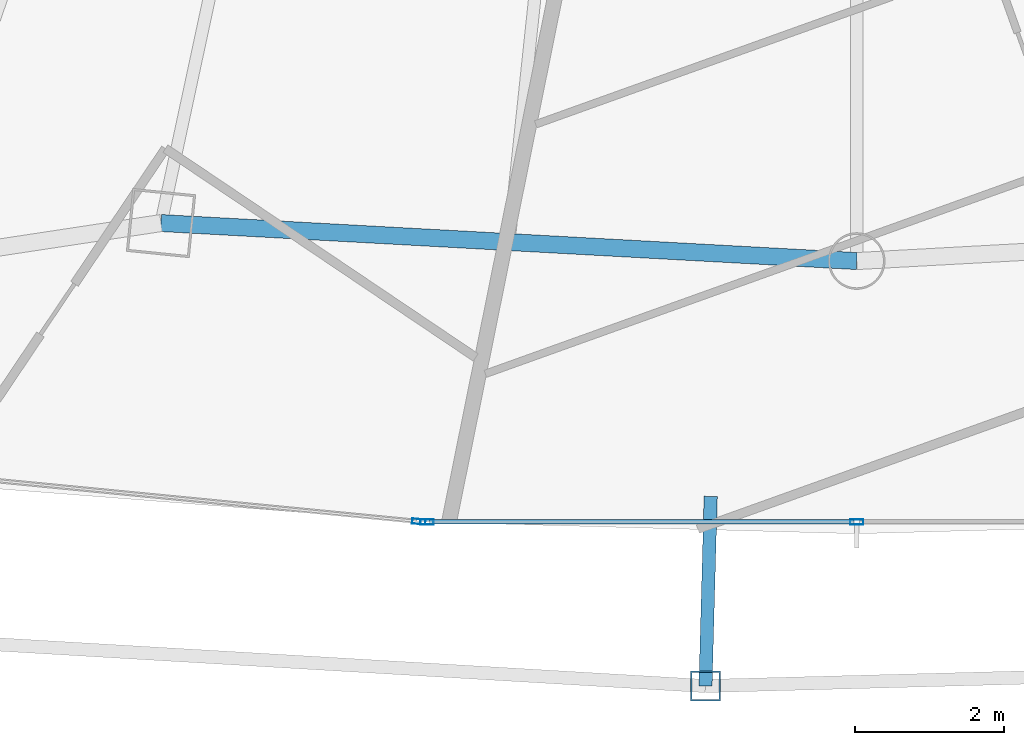
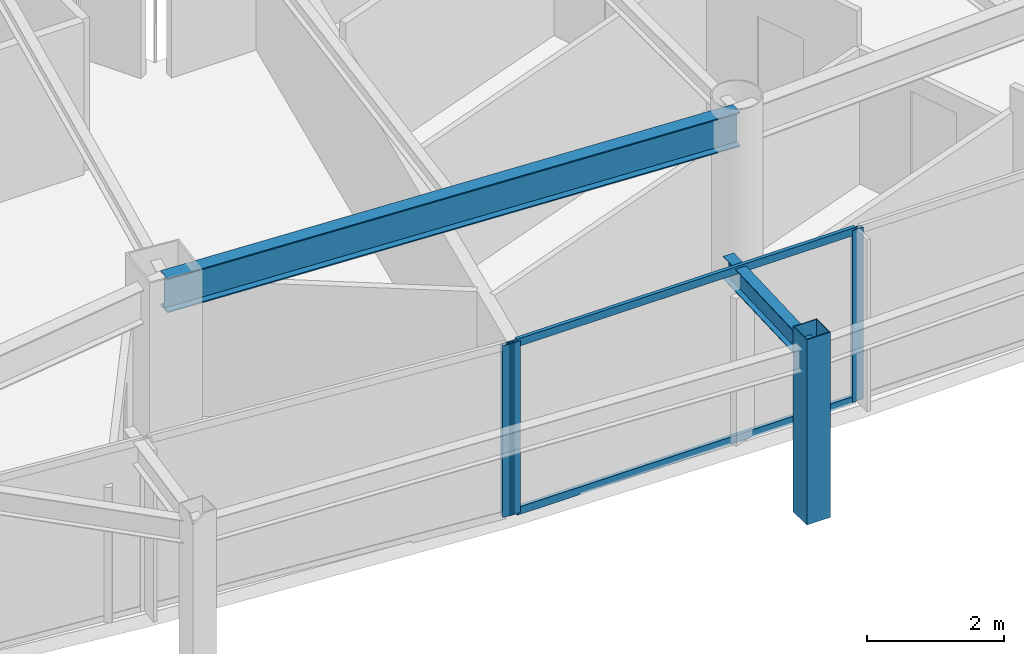
# One storey, part 7 of 30: 6 members, 2 beams, 2 elements without a shape of their own.
"""IFC4 building model written with IfcOpenShell, lengths in metres."""

import ifcopenshell
import ifcopenshell.guid

model = None  # the IFC model being written
_history = None  # IfcOwnerHistory: only IFC2X3 demands one
_inside = {}  # id of a spatial element -> (the spatial element, [elements in it])
_under = {}  # id of a project, library or spatial element -> (it, [spatial elements below it])
_declared = {}  # id of a project -> (the project, [libraries it declares])
_typed = {}  # id of a type object -> (the type object, [elements of that type])
_made_of = {}  # id of a material, layer set ... -> (it, [elements and type objects made of it])


def new_model(schema):
    """Start an empty IFC model of exactly this schema.

    Asked for "IFC4X3", IfcOpenShell would pick the latest addendum, in which some entities
    have other attributes; the version numbers below select the first issue.
    IFC2X3 requires an IfcOwnerHistory on every rooted entity: one is made here for all.
    """
    global model, _history
    if schema == "IFC4X3":
        model = ifcopenshell.file(schema_version=(4, 3, 0, 0))
    else:
        model = ifcopenshell.file(schema=schema)
    _inside.clear()
    _under.clear()
    _declared.clear()
    _typed.clear()
    _made_of.clear()
    _history = None
    if model.schema == "IFC2X3":
        org = make("IfcOrganization", Name="unknown")
        user = make(
            "IfcPersonAndOrganization",
            ThePerson=make("IfcPerson", FamilyName="unknown"),
            TheOrganization=org,
        )
        app = make(
            "IfcApplication",
            ApplicationDeveloper=org,
            Version="unknown",
            ApplicationFullName="unknown",
            ApplicationIdentifier="unknown",
        )
        _history = make(
            "IfcOwnerHistory",
            OwningUser=user,
            OwningApplication=app,
            ChangeAction="ADDED",
            CreationDate=0,
        )
    return model


def make(cls, **values):
    """One entity of the class cls with the attributes given. An attribute that is None is left unset."""
    return model.create_entity(
        cls, **{name: value for name, value in values.items() if value is not None}
    )


def rooted(cls, **values):
    """An entity with a GlobalId (a new one), such as an element, a storey or a relation."""
    return make(cls, GlobalId=ifcopenshell.guid.new(), OwnerHistory=_history, **values)


def si_unit(unit_type, name, prefix=None):
    """IfcSIUnit, for example si_unit("LENGTHUNIT", "METRE", prefix="MILLI")."""
    return make("IfcSIUnit", UnitType=unit_type, Prefix=prefix, Name=name)


def assignment(units):
    """IfcUnitAssignment: the units of a project."""
    return None if units is None else make("IfcUnitAssignment", Units=units)


def point(xyz):
    """IfcCartesianPoint."""
    return None if xyz is None else make("IfcCartesianPoint", Coordinates=xyz)


def direction(xyz):
    """IfcDirection."""
    return None if xyz is None else make("IfcDirection", DirectionRatios=xyz)


def frame(location, z_axis=None, x_axis=None):
    """IfcAxis2Placement3D, a coordinate frame: its origin and axes. An axis left out is left unset."""
    return make(
        "IfcAxis2Placement3D",
        Location=point(location),
        Axis=direction(z_axis),
        RefDirection=direction(x_axis),
    )


def frame_2d(location, x_axis=None):
    """IfcAxis2Placement2D, a coordinate frame in the plane: its origin and x axis."""
    return make(
        "IfcAxis2Placement2D", Location=point(location), RefDirection=direction(x_axis)
    )


def origin():
    """The frame at (0, 0, 0) with its axes left unset."""
    return frame((0.0, 0.0, 0.0))


def origin_2d():
    """The frame at (0, 0) in the plane with its x axis left unset."""
    return frame_2d((0.0, 0.0))


def place(relative_to, where):
    """IfcLocalPlacement: puts the frame where relative to a parent placement (None: the world)."""
    return make(
        "IfcLocalPlacement", PlacementRelTo=relative_to, RelativePlacement=where
    )


def context(
    kind, dimensions, precision=None, world=None, true_north=None, identifier=None
):
    """IfcGeometricRepresentationContext, for example the 3D "Model" context."""
    return make(
        "IfcGeometricRepresentationContext",
        ContextIdentifier=identifier,
        ContextType=kind,
        CoordinateSpaceDimension=dimensions,
        Precision=precision,
        WorldCoordinateSystem=world,
        TrueNorth=true_north,
    )


def subcontext(parent, identifier, kind, view, scale=None):
    """IfcGeometricRepresentationSubContext, for example "Body" below "Model"."""
    return make(
        "IfcGeometricRepresentationSubContext",
        ContextIdentifier=identifier,
        ContextType=kind,
        ParentContext=parent,
        TargetScale=scale,
        TargetView=view,
    )


def project(units=None, contexts=None):
    """IfcProject with its units and contexts."""
    return rooted(
        "IfcProject",
        Name="project",
        RepresentationContexts=contexts,
        UnitsInContext=assignment(units),
    )


def spatial(cls, under=None, at=None, **own):
    """A site, building, storey or space (cls), placed at a placement, below another one or the project."""
    s = rooted(cls, ObjectPlacement=at, **own)
    if under is not None:
        _under.setdefault(under.id(), (under, []))[1].append(s)
    return s


def profile(cls, at=None, kind="AREA", **sizes):
    """A parametric profile (cls). Its sizes go by their IFC names, for example OverallWidth=200.0."""
    return make(cls, ProfileType=kind, Position=at, **sizes)


def hollow_rectangle(**sizes):
    """IfcRectangleHollowProfileDef."""
    return profile("IfcRectangleHollowProfileDef", **sizes)


def i_section(**sizes):
    """IfcIShapeProfileDef."""
    return profile("IfcIShapeProfileDef", **sizes)


def extrude(swept, where, along, depth):
    """IfcExtrudedAreaSolid: the profile swept, set in the frame where, extruded along a direction by depth."""
    return make(
        "IfcExtrudedAreaSolid",
        SweptArea=swept,
        Position=where,
        ExtrudedDirection=direction(along),
        Depth=depth,
    )


def shape(context_of_items, identifier, shape_type, items):
    """IfcShapeRepresentation: the items that make up one representation, for example the "Body"."""
    return make(
        "IfcShapeRepresentation",
        ContextOfItems=context_of_items,
        RepresentationIdentifier=identifier,
        RepresentationType=shape_type,
        Items=items,
    )


def material(Name=None, Category=None):
    """IfcMaterial."""
    return make("IfcMaterial", Name=Name, Category=Category)


def layer(
    of_material, thickness, ventilated=None, Name=None, Category=None, Priority=None
):
    """IfcMaterialLayer: one layer of a wall or slab, of a material (None: an air gap)."""
    return make(
        "IfcMaterialLayer",
        Material=of_material,
        LayerThickness=thickness,
        IsVentilated=ventilated,
        Name=Name,
        Category=Category,
        Priority=Priority,
    )


def layer_set(layers, Name=None):
    """IfcMaterialLayerSet."""
    return make("IfcMaterialLayerSet", MaterialLayers=layers, LayerSetName=Name)


def material_profile(
    of_material, cross_section, Name=None, Category=None, Priority=None
):
    """IfcMaterialProfile: a cross section and its material."""
    return make(
        "IfcMaterialProfile",
        Name=Name,
        Material=of_material,
        Profile=cross_section,
        Priority=Priority,
        Category=Category,
    )


def profile_set(profiles, Name=None, composite=None):
    """IfcMaterialProfileSet."""
    return make(
        "IfcMaterialProfileSet",
        Name=Name,
        MaterialProfiles=profiles,
        CompositeProfile=composite,
    )


def made_of(thing, what):
    """Note that an element or type object is made of a material, layer set ...; save() writes the relation."""
    if what is not None:
        _made_of.setdefault(what.id(), (what, []))[1].append(thing)
    return thing


def type_object(cls, material=None, **own):
    """A type object (cls), such as IfcWallType, which elements share."""
    return made_of(rooted(cls, **own), material)


def element(
    cls,
    number,
    at=None,
    inside=None,
    cuts=None,
    type_object=None,
    material=None,
    context=None,
    identifier="Body",
    shape_type=None,
    held_by="IfcProductDefinitionShape",
    body=None,
    shapes=None,
    **own,
):
    """One element of the class cls, such as IfcWall. Its Tag is "e" and its number.

    at: its placement. inside: the storey or other place that contains it. cuts: it is an
    opening in that element (IfcRelVoidsElement). A single representation is given by context,
    identifier, shape_type and body (its items); several are given by shapes. held_by: the class
    of the entity that holds the representations. save() writes the other relations.
    """
    e = rooted(cls, Tag="e%d" % number, ObjectPlacement=at, **own)
    if body is not None:
        shapes = [shape(context, identifier, shape_type, body)]
    if shapes is not None:
        e.Representation = make(held_by, Representations=shapes)
    if inside is not None:
        _inside.setdefault(inside.id(), (inside, []))[1].append(e)
    if cuts is not None:
        rooted(
            "IfcRelVoidsElement", RelatingBuildingElement=cuts, RelatedOpeningElement=e
        )
    if type_object is not None:
        _typed.setdefault(type_object.id(), (type_object, []))[1].append(e)
    return made_of(e, material)


def aggregate(whole, parts):
    """IfcRelAggregates: a whole, such as a stair, and the parts it consists of."""
    return rooted("IfcRelAggregates", RelatingObject=whole, RelatedObjects=parts)


def save(model, path):
    """Write the relations noted so far, then the file.

    IfcRelAggregates (storeys below a building ...), IfcRelContainedInSpatialStructure (elements
    in a storey), IfcRelDefinesByType, IfcRelAssociatesMaterial and IfcRelDeclares: one each for
    every whole, place, type object, material and project.
    """
    for whole, parts in _under.values():
        aggregate(whole, parts)
    for where, things in _inside.values():
        rooted(
            "IfcRelContainedInSpatialStructure",
            RelatedElements=things,
            RelatingStructure=where,
        )
    for kind, things in _typed.values():
        rooted("IfcRelDefinesByType", RelatedObjects=things, RelatingType=kind)
    for what, things in _made_of.values():
        rooted("IfcRelAssociatesMaterial", RelatedObjects=things, RelatingMaterial=what)
    for by, libraries in _declared.values():
        rooted("IfcRelDeclares", RelatingContext=by, RelatedDefinitions=libraries)
    model.write(path)


model = new_model("IFC4")

# Units and contexts
model_context = context("Model", 3, precision=1e-05, world=origin(), true_north=direction((0.0, 1.0)))
body_context = subcontext(model_context, "Body", "Model", "MODEL_VIEW")
ifc_project = project(units=[si_unit("LENGTHUNIT", "METRE"), si_unit("AREAUNIT", "SQUARE_METRE"), si_unit("VOLUMEUNIT", "CUBIC_METRE"), si_unit("PLANEANGLEUNIT", "RADIAN"), si_unit("MASSUNIT", "GRAM", prefix="KILO")], contexts=[model_context])

# Site, building, storey
site_placement = place(None, origin())
site = spatial("IfcSite", under=ifc_project, at=site_placement, CompositionType="ELEMENT")
building_placement = place(site_placement, origin())
building = spatial("IfcBuilding", under=site, at=building_placement, Name="Orvanel Arch Residences", CompositionType="ELEMENT")
storey_placement = place(building_placement, frame((0.0, 0.0, 136.39990234375)))
storey = spatial("IfcBuildingStorey", under=building, at=storey_placement, Name="L38", CompositionType="ELEMENT", Elevation=136.39990234375)

# Curtain wall, member
ifc_material_1 = material(Name="Bronze-anodised aluminium AA6063-T6", Category="aluminium")
ifc_layer = layer(ifc_material_1, 0.179931640625)
ifc_layer_set = layer_set([ifc_layer], Name="Bronze-anodised aluminium AA6063-T6")
curtain_wall_type = type_object("IfcCurtainWallType", Name="CW3-MID-SYS", PredefinedType="NOTDEFINED", material=ifc_layer_set)
curtain_wall_1_placement = place(storey_placement, origin())
curtain_wall_1 = element("IfcCurtainWall", 1, at=curtain_wall_1_placement, inside=storey, type_object=curtain_wall_type, Name="L38 CW3-MID-SYS Unitised Curtain Wall", PredefinedType="NOTDEFINED")
ifc_material_profile_1 = material_profile(ifc_material_1, hollow_rectangle(XDim=0.070068359375, YDim=0.179931640625, WallThickness=0.00439453125, at=origin_2d()), Name="ALU180x70x4.5")
ifc_profile_set_1 = profile_set([ifc_material_profile_1], Name="Bronze-anodised aluminium AA6063-T6")
member_type_1 = type_object("IfcMemberType", Name="MUL-180x70", PredefinedType="MULLION", material=ifc_profile_set_1)
member_1_placement = place(storey_placement, frame((27.1142578125, 3.34228515625, 0.0), z_axis=(0.0, 0.0, 1.0), x_axis=(0.096603363992, 0.99532295767, 0.0)))
member_1 = element("IfcMember", 2, at=member_1_placement, type_object=member_type_1, Name="CW-S3 mullion 3", PredefinedType="MULLION", context=body_context, shape_type="SweptSolid", body=[
    extrude(hollow_rectangle(XDim=0.070068359375, YDim=0.179931640625, WallThickness=0.00439453125, at=origin_2d()), origin(), (0.0, 0.0, 1.0), 3.06005859375),
])
aggregate(curtain_wall_1, [member_1])

# Curtain wall, members
curtain_wall_2_placement = place(storey_placement, origin())
curtain_wall_2 = element("IfcCurtainWall", 3, at=curtain_wall_2_placement, inside=storey, type_object=curtain_wall_type, Name="L38 CW3-MID-SYS Unitised Curtain Wall", PredefinedType="NOTDEFINED")
member_2_placement = place(storey_placement, frame((27.22412109375, 3.3369140625, 0.0), z_axis=(0.0, 0.0, 1.0), x_axis=(0.0, 1.0, 0.0)))
member_2 = element("IfcMember", 4, at=member_2_placement, type_object=member_type_1, Name="CW-S3 mullion 1", PredefinedType="MULLION", context=body_context, shape_type="SweptSolid", body=[
    extrude(hollow_rectangle(XDim=0.070068359375, YDim=0.179931640625, WallThickness=0.00439453125, at=origin_2d()), origin(), (0.0, 0.0, 1.0), 3.06005859375),
])
member_3_placement = place(storey_placement, frame((33.0, 3.3369140625, 0.0), z_axis=(0.0, 0.0, 1.0), x_axis=(0.0, 1.0, 0.0)))
member_3 = element("IfcMember", 5, at=member_3_placement, type_object=member_type_1, Name="CW-S3 mullion 2", PredefinedType="MULLION", context=body_context, shape_type="SweptSolid", body=[
    extrude(hollow_rectangle(XDim=0.070068359375, YDim=0.179931640625, WallThickness=0.00439453125, at=origin_2d()), origin(), (0.0, 0.0, 1.0), 3.06005859375),
])

# Beams
ifc_material_2 = material(Name="Structural steel AS/NZS 3679.1 Grade 300 (300 MPa)", Category="steel")
ifc_material_profile_2 = material_profile(ifc_material_2, i_section(OverallWidth=0.177978515625, OverallDepth=0.406005859375, WebThickness=0.0078125, FlangeThickness=0.0126953125, at=origin_2d()), Name="410UB59.7")
ifc_profile_set_2 = profile_set([ifc_material_profile_2], Name="Structural steel AS/NZS 3679.1 Grade 300 (300 MPa)")
beam_type_1 = type_object("IfcBeamType", Name="OB-410UB-EXT", PredefinedType="SPANDREL", material=ifc_profile_set_2)
beam_1_placement = place(storey_placement, frame((31.037109375, 3.680908203125, 2.857177734375), z_axis=(-0.027480039764, -0.999622352398, 0.0), x_axis=(0.999622352398, -0.027480039764, 0.0)))
element("IfcBeam", 6, at=beam_1_placement, inside=storey, type_object=beam_type_1, Name="L38 Outer Frame Radial Tie Beam 06", PredefinedType="SPANDREL", context=body_context, shape_type="SweptSolid", body=[
    extrude(i_section(OverallWidth=0.177978515625, OverallDepth=0.406005859375, WebThickness=0.0078125, FlangeThickness=0.0126953125, at=origin_2d()), origin(), (0.0, 0.0, 1.0), 2.5498046875),
])
ifc_material_profile_3 = material_profile(ifc_material_2, i_section(OverallWidth=0.22900390625, OverallDepth=0.612060546875, WebThickness=0.011962890625, FlangeThickness=0.01953125, at=origin_2d()), Name="610UB125")
ifc_profile_set_3 = profile_set([ifc_material_profile_3], Name="Structural steel AS/NZS 3679.1 Grade 300 (300 MPa)")
beam_type_2 = type_object("IfcBeamType", Name="SP-610UB", PredefinedType="SPANDREL", material=ifc_profile_set_3)
beam_2_placement = place(storey_placement, frame((23.64892578125, 7.35498046875, 2.754150390625), z_axis=(0.998510315598, -0.054563262768, 0.0), x_axis=(0.054563262768, 0.998510315598, 0.0)))
element("IfcBeam", 7, at=beam_2_placement, inside=storey, type_object=beam_type_2, Name="L38 Perimeter Spandrel Beam 05", PredefinedType="SPANDREL", context=body_context, shape_type="SweptSolid", body=[
    extrude(i_section(OverallWidth=0.22900390625, OverallDepth=0.612060546875, WebThickness=0.011962890625, FlangeThickness=0.01953125, at=origin_2d()), origin(), (0.0, 0.0, 1.0), 9.364990234375),
])

# Member
ifc_material_3 = material(Name="Structural steel AS/NZS 1163 C450L0 (Grade 450)", Category="steel")
ifc_material_profile_4 = material_profile(ifc_material_3, hollow_rectangle(XDim=0.39990234375, YDim=0.39990234375, WallThickness=0.01611328125, at=origin_2d()), Name="SHS400x400x16")
ifc_profile_set_4 = profile_set([ifc_material_profile_4], Name="Structural steel AS/NZS 1163 C450L0 (Grade 450)")
member_type_2 = type_object("IfcMemberType", Name="ST-400SHS-EXT", PredefinedType="STRUT", material=ifc_profile_set_4)
member_4_placement = place(storey_placement, frame((30.967041015625, 1.132080078125, 0.0), z_axis=(0.0, 0.0, 1.0), x_axis=(1.0, 0.0, 0.0)))
element("IfcMember", 8, at=member_4_placement, inside=storey, type_object=member_type_2, Name="L38 Outer Perimeter Frame Post 06", PredefinedType="STRUT", context=body_context, shape_type="SweptSolid", body=[
    extrude(hollow_rectangle(XDim=0.39990234375, YDim=0.39990234375, WallThickness=0.01611328125, at=origin_2d()), origin(), (0.0, 0.0, 1.0), 3.300048828125),
])

ifc_material_profile_5 = material_profile(ifc_material_1, hollow_rectangle(XDim=0.06005859375, YDim=0.135009765625, WallThickness=0.00390625, at=origin_2d()), Name="ALU135x60x4")
ifc_profile_set_5 = profile_set([ifc_material_profile_5], Name="Bronze-anodised aluminium AA6063-T6")
member_type_3 = type_object("IfcMemberType", Name="TRN-135x60", PredefinedType="USERDEFINED", material=ifc_profile_set_5)
member_5_placement = place(storey_placement, frame((27.259033203125, 3.3369140625, 0.030029296875), z_axis=(1.0, 0.0, 0.0), x_axis=(0.0, 1.0, 0.0)))
member_5 = element("IfcMember", 9, at=member_5_placement, type_object=member_type_3, Name="CW-S3 transom 1.1", ObjectType="TRANSOM", PredefinedType="USERDEFINED", context=body_context, shape_type="SweptSolid", body=[
    extrude(hollow_rectangle(XDim=0.06005859375, YDim=0.135009765625, WallThickness=0.00390625, at=origin_2d()), origin(), (0.0, 0.0, 1.0), 5.7060546875),
])

member_6_placement = place(storey_placement, frame((27.259033203125, 3.3369140625, 3.030029296875), z_axis=(1.0, 0.0, 0.0), x_axis=(0.0, 1.0, 0.0)))
member_6 = element("IfcMember", 10, at=member_6_placement, type_object=member_type_3, Name="CW-S3 transom 1.2", ObjectType="TRANSOM", PredefinedType="USERDEFINED", context=body_context, shape_type="SweptSolid", body=[
    extrude(hollow_rectangle(XDim=0.06005859375, YDim=0.135009765625, WallThickness=0.00390625, at=origin_2d()), origin(), (0.0, 0.0, 1.0), 5.7060546875),
])

aggregate(curtain_wall_2, [member_2, member_3, member_5, member_6])

save(model, "model.ifc")
